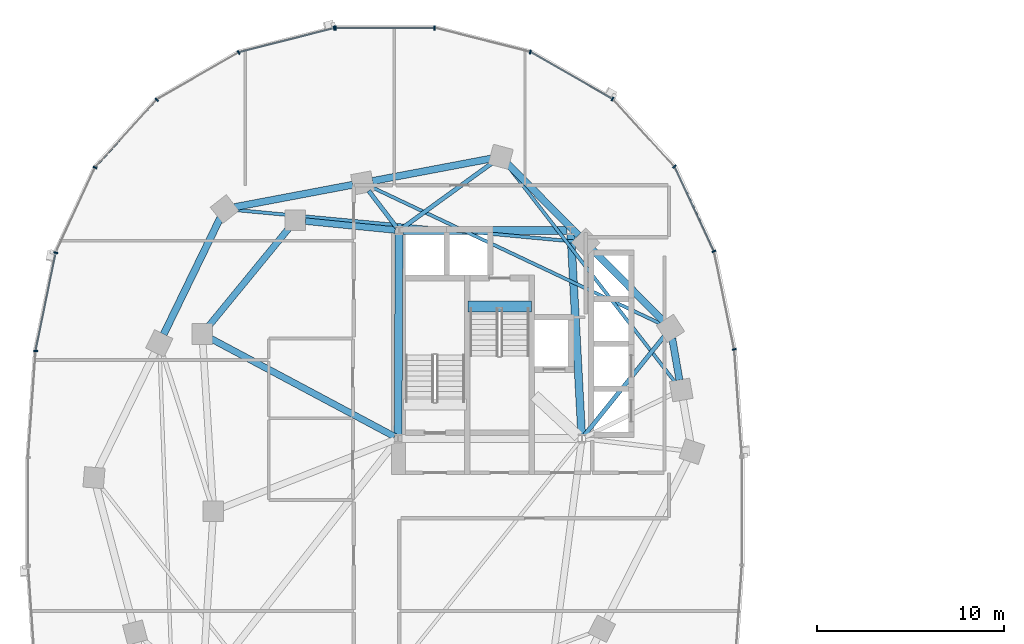
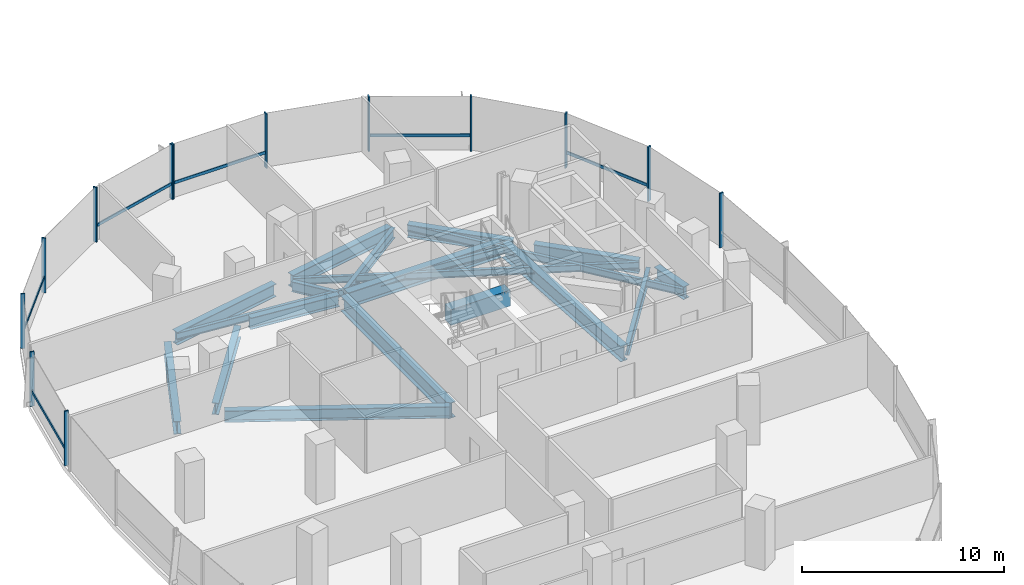
# One storey, part 4 of 21: 19 beams, 19 members, 2 elements without a shape of their own.
"""IFC4 building model written with IfcOpenShell, lengths in metres."""

from ifc_helpers import new_model, si_unit, direction, frame, origin, origin_2d, place, context, subcontext, project, spatial, rectangle, i_section, extrude, material, material_profile, profile_set, type_object, element, aggregate, save


model = new_model("IFC4")

# Units and contexts
model_context = context("Model", 3, precision=1e-05, world=origin(), true_north=direction((0.0, 1.0)))
body_context = subcontext(model_context, "Body", "Model", "MODEL_VIEW")
ifc_project = project(units=[si_unit("LENGTHUNIT", "METRE"), si_unit("AREAUNIT", "SQUARE_METRE"), si_unit("VOLUMEUNIT", "CUBIC_METRE"), si_unit("PLANEANGLEUNIT", "RADIAN"), si_unit("MASSUNIT", "GRAM", prefix="KILO"), si_unit("THERMODYNAMICTEMPERATUREUNIT", "KELVIN"), si_unit("POWERUNIT", "WATT")], contexts=[model_context])

# Site, building, storey
site_placement = place(None, origin())
site = spatial("IfcSite", under=ifc_project, at=site_placement, CompositionType="ELEMENT")
building_placement = place(site_placement, origin())
building = spatial("IfcBuilding", under=site, at=building_placement, Name="Cundina Bronze Exchange", CompositionType="ELEMENT")
storey_placement = place(building_placement, frame((0.0, 0.0, 117.800048828125)))
storey = spatial("IfcBuildingStorey", under=building, at=storey_placement, Name="L30", CompositionType="ELEMENT", Elevation=117.800048828125)

# Beams
ifc_material_1 = material(Name="Concrete C60/75", Category="concrete")
ifc_material_profile_1 = material_profile(ifc_material_1, rectangle(XDim=0.60009765625, YDim=0.949951171875, at=origin_2d()), Name="RC600X950", Category="concrete")
ifc_profile_set_1 = profile_set([ifc_material_profile_1], Name="Concrete C60/75")
beam_type_1 = type_object("IfcBeamType", Name="BM-COUP-RC950", PredefinedType="LINTEL", material=ifc_profile_set_1)
beam_1_placement = place(storey_placement, frame((-27.56005859375, 10.97998046875, -0.47509765625), z_axis=(1.0, 0.0, 0.0), x_axis=(0.0, 1.0, 0.0)))
element("IfcBeam", 1, at=beam_1_placement, inside=storey, type_object=beam_type_1, Name="L30 Stair W2 Landing Header Beam", PredefinedType="LINTEL", context=body_context, shape_type="SweptSolid", body=[
    extrude(rectangle(XDim=0.60009765625, YDim=0.949951171875, at=origin_2d()), origin(), (0.0, 0.0, 1.0), 3.400146484375),
])
ifc_material_2 = material(Name="Steel ASTM A992 Grade 50", Category="steel")
ifc_material_profile_2 = material_profile(ifc_material_2, i_section(OverallWidth=0.22998046875, OverallDepth=0.616943359375, WebThickness=0.01318359375, FlangeThickness=0.022216796875, FilletRadius=0.013916015625, at=origin_2d()), Name="W24X94", Category="steel")
ifc_profile_set_2 = profile_set([ifc_material_profile_2], Name="Steel ASTM A992 Grade 50")
beam_type_2 = type_object("IfcBeamType", Name="BM-FLR-W24B", PredefinedType="BEAM", material=ifc_profile_set_2)
beam_2_placement = place(storey_placement, frame((-21.322021484375, 4.058837890625, -0.608642578125), z_axis=(0.627106187843, 0.778933777139, 0.0), x_axis=(-0.778933777139, 0.627106187843, 0.0)))
element("IfcBeam", 2, at=beam_2_placement, inside=storey, type_object=beam_type_2, Name="L30 Leg W Radial Floor Beam 02", PredefinedType="BEAM", context=body_context, shape_type="SweptSolid", body=[
    extrude(i_section(OverallWidth=0.22998046875, OverallDepth=0.616943359375, WebThickness=0.01318359375, FlangeThickness=0.022216796875, FilletRadius=0.013916015625, at=origin_2d()), origin(), (0.0, 0.0, 1.0), 6.83251953125),
])
beam_3_placement = place(storey_placement, frame((-31.084716796875, 15.169677734375, -0.608642578125), z_axis=(0.809686957662, 0.586862020063, 0.0), x_axis=(-0.586862020063, 0.809686957662, 0.0)))
element("IfcBeam", 3, at=beam_3_placement, inside=storey, type_object=beam_type_2, Name="L30 Leg W Radial Floor Beam 04", PredefinedType="BEAM", context=body_context, shape_type="SweptSolid", body=[
    extrude(i_section(OverallWidth=0.22998046875, OverallDepth=0.616943359375, WebThickness=0.01318359375, FlangeThickness=0.022216796875, FilletRadius=0.013916015625, at=origin_2d()), origin(), (0.0, 0.0, 1.0), 5.98876953125),
])
beam_4_placement = place(storey_placement, frame((-31.373779296875, 15.2119140625, -0.608642578125), z_axis=(-0.607490490457, 0.79432695032, 0.0), x_axis=(-0.79432695032, -0.607490490457, 0.0)))
element("IfcBeam", 4, at=beam_4_placement, inside=storey, type_object=beam_type_2, Name="L30 Leg W Radial Floor Beam 05", PredefinedType="BEAM", context=body_context, shape_type="SweptSolid", body=[
    extrude(i_section(OverallWidth=0.22998046875, OverallDepth=0.616943359375, WebThickness=0.01318359375, FlangeThickness=0.022216796875, FilletRadius=0.013916015625, at=origin_2d()), origin(), (0.0, 0.0, 1.0), 2.46826171875),
])
ifc_material_profile_3 = material_profile(ifc_material_2, i_section(OverallWidth=0.178955078125, OverallDepth=0.409912109375, WebThickness=0.0087890625, FlangeThickness=0.014404296875, FilletRadius=0.010986328125, at=origin_2d()), Name="W16X45", Category="steel")
ifc_profile_set_3 = profile_set([ifc_material_profile_3], Name="Steel ASTM A992 Grade 50")
beam_type_3 = type_object("IfcBeamType", Name="BM-JST-W16", PredefinedType="JOIST", material=ifc_profile_set_3)
beam_5_placement = place(storey_placement, frame((-16.454345703125, 6.92529296875, -0.505126953125), z_axis=(-0.612065218806, 0.790807288742, 0.0), x_axis=(-0.790807288742, -0.612065218806, 0.0)))
element("IfcBeam", 5, at=beam_5_placement, inside=storey, type_object=beam_type_3, Name="L30 Leg W Lobe Floor Joist 01-04", PredefinedType="JOIST", context=body_context, shape_type="SweptSolid", body=[
    extrude(i_section(OverallWidth=0.178955078125, OverallDepth=0.409912109375, WebThickness=0.0087890625, FlangeThickness=0.014404296875, FilletRadius=0.010986328125, at=origin_2d()), origin(), (0.0, 0.0, 1.0), 14.73095703125),
])
beam_6_placement = place(storey_placement, frame((-17.186279296875, 10.02978515625, -0.505126953125), z_axis=(-0.904069270633, 0.427385954259, 0.0), x_axis=(-0.427385954259, -0.904069270633, 0.0)))
element("IfcBeam", 6, at=beam_6_placement, inside=storey, type_object=beam_type_3, Name="L30 Leg W Lobe Floor Joist 02-05", PredefinedType="JOIST", context=body_context, shape_type="SweptSolid", body=[
    extrude(i_section(OverallWidth=0.178955078125, OverallDepth=0.409912109375, WebThickness=0.0087890625, FlangeThickness=0.014404296875, FilletRadius=0.010986328125, at=origin_2d()), origin(), (0.0, 0.0, 1.0), 17.175048828125),
])
beam_7_placement = place(storey_placement, frame((-21.78564453125, 14.44970703125, -0.505126953125), z_axis=(-0.995700674022, 0.092629194921, 0.0), x_axis=(-0.092629194921, -0.995700674022, 0.0)))
element("IfcBeam", 7, at=beam_7_placement, inside=storey, type_object=beam_type_3, Name="L30 Leg W Lobe Floor Joist 03-06", PredefinedType="JOIST", context=body_context, shape_type="SweptSolid", body=[
    extrude(i_section(OverallWidth=0.178955078125, OverallDepth=0.409912109375, WebThickness=0.0087890625, FlangeThickness=0.014404296875, FilletRadius=0.010986328125, at=origin_2d()), origin(), (0.0, 0.0, 1.0), 18.357421875),
])
ifc_material_profile_4 = material_profile(ifc_material_2, i_section(OverallWidth=0.35498046875, OverallDepth=0.695068359375, WebThickness=0.015380859375, FlangeThickness=0.02490234375, FilletRadius=0.01806640625, at=origin_2d()), Name="W27X146", Category="steel")
ifc_profile_set_4 = profile_set([ifc_material_profile_4], Name="Steel ASTM A992 Grade 50")
beam_type_4 = type_object("IfcBeamType", Name="BM-RING-W27", PredefinedType="USERDEFINED", material=ifc_profile_set_4)
beam_8_placement = place(storey_placement, frame((-31.452880859375, 15.070068359375, -0.6474609375), z_axis=(-0.995126271817, 0.098608839051, 0.0), x_axis=(-0.098608839051, -0.995126271817, 0.0)))
element("IfcBeam", 8, at=beam_8_placement, inside=storey, type_object=beam_type_4, Name="L30 W Inner Structural Ring Girder 01", ObjectType="GIRDER", PredefinedType="USERDEFINED", context=body_context, shape_type="SweptSolid", body=[
    extrude(i_section(OverallWidth=0.35498046875, OverallDepth=0.695068359375, WebThickness=0.015380859375, FlangeThickness=0.02490234375, FilletRadius=0.01806640625, at=origin_2d()), origin(), (0.0, 0.0, 1.0), 4.83544921875),
])
beam_9_placement = place(storey_placement, frame((-37.14111328125, 15.183837890625, -0.6474609375), z_axis=(-0.633926549035, -0.773393257295, 0.0), x_axis=(0.773393257295, -0.633926549035, 0.0)))
element("IfcBeam", 9, at=beam_9_placement, inside=storey, type_object=beam_type_4, Name="L30 W Inner Structural Ring Girder 02", ObjectType="GIRDER", PredefinedType="USERDEFINED", context=body_context, shape_type="SweptSolid", body=[
    extrude(i_section(OverallWidth=0.35498046875, OverallDepth=0.695068359375, WebThickness=0.015380859375, FlangeThickness=0.02490234375, FilletRadius=0.01806640625, at=origin_2d()), origin(), (0.0, 0.0, 1.0), 6.811279296875),
])
beam_10_placement = place(storey_placement, frame((-31.47998046875, 3.99609375, -0.6474609375), z_axis=(-0.882354758239, 0.470584828286, 0.0), x_axis=(-0.470584828286, -0.882354758239, 0.0)))
element("IfcBeam", 10, at=beam_10_placement, inside=storey, type_object=beam_type_4, Name="L30 W Core-to-Waist Tie Beam 2", ObjectType="GIRDER", PredefinedType="USERDEFINED", context=body_context, shape_type="SweptSolid", body=[
    extrude(i_section(OverallWidth=0.35498046875, OverallDepth=0.695068359375, WebThickness=0.015380859375, FlangeThickness=0.02490234375, FilletRadius=0.01806640625, at=origin_2d()), origin(), (0.0, 0.0, 1.0), 11.157958984375),
])
ifc_material_profile_5 = material_profile(ifc_material_2, i_section(OverallWidth=0.381103515625, OverallDepth=0.77294921875, WebThickness=0.0166015625, FlangeThickness=0.027099609375, FilletRadius=0.01904296875, at=origin_2d()), Name="W30X173", Category="steel")
ifc_profile_set_5 = profile_set([ifc_material_profile_5], Name="Steel ASTM A992 Grade 50")
beam_type_5 = type_object("IfcBeamType", Name="BM-RING-W30", PredefinedType="USERDEFINED", material=ifc_profile_set_5)
beam_11_placement = place(storey_placement, frame((-16.21728515625, 7.030029296875, -0.6865234375), z_axis=(-0.171690078326, 0.985151012284, 0.0), x_axis=(-0.985151012284, -0.171690078326, 0.0)))
element("IfcBeam", 11, at=beam_11_placement, inside=storey, type_object=beam_type_5, Name="L30 W Perimeter Ring Girder 01", ObjectType="GIRDER", PredefinedType="USERDEFINED", context=body_context, shape_type="SweptSolid", body=[
    extrude(i_section(OverallWidth=0.381103515625, OverallDepth=0.77294921875, WebThickness=0.0166015625, FlangeThickness=0.027099609375, FilletRadius=0.01904296875, at=origin_2d()), origin(), (0.0, 0.0, 1.0), 2.273681640625),
])
for number, where, z_axis, x_axis, name in (
    (12, (-17.078369140625, 10.1826171875, -0.6865234375), (-0.703226342126, 0.7109660412, 0.0), (-0.7109660412, -0.703226342126, 0.0), "L30 W Perimeter Ring Girder 02"),
    (13, (-21.62841796875, 14.782470703125, -0.6865234375), (-0.703226342126, 0.7109660412, 0.0), (-0.7109660412, -0.703226342126, 0.0), "L30 W Perimeter Ring Girder 03"),
):
    element("IfcBeam", number, at=place(storey_placement, frame(where, z_axis=z_axis, x_axis=x_axis)), inside=storey, type_object=beam_type_5, Name=name, ObjectType="GIRDER", PredefinedType="USERDEFINED", context=body_context, shape_type="SweptSolid", body=[
        extrude(i_section(OverallWidth=0.381103515625, OverallDepth=0.77294921875, WebThickness=0.0166015625, FlangeThickness=0.027099609375, FilletRadius=0.01904296875, at=origin_2d()), origin(), (0.0, 0.0, 1.0), 5.39404296875),
    ])
for number, where, z_axis, x_axis, name in (
    (14, (-26.32861328125, 18.89990234375, -0.6865234375), (-0.98257117919, -0.185886733861, 0.0), (0.185886733861, -0.98257117919, 0.0), "L30 W Perimeter Ring Girder 04"),
    (15, (-33.728515625, 17.5, -0.6865234375), (-0.98257117919, -0.185886733861, 0.0), (0.185886733861, -0.98257117919, 0.0), "L30 W Perimeter Ring Girder 05"),
):
    element("IfcBeam", number, at=place(storey_placement, frame(where, z_axis=z_axis, x_axis=x_axis)), inside=storey, type_object=beam_type_5, Name=name, ObjectType="GIRDER", PredefinedType="USERDEFINED", context=body_context, shape_type="SweptSolid", body=[
        extrude(i_section(OverallWidth=0.381103515625, OverallDepth=0.77294921875, WebThickness=0.0166015625, FlangeThickness=0.027099609375, FilletRadius=0.01904296875, at=origin_2d()), origin(), (0.0, 0.0, 1.0), 6.455322265625),
    ])
beam_12_placement = place(storey_placement, frame((-40.835205078125, 15.716064453125, -0.6865234375), z_axis=(-0.437193894283, -0.899367276924, 0.0), x_axis=(0.899367276924, -0.437193894283, 0.0)))
element("IfcBeam", 16, at=beam_12_placement, inside=storey, type_object=beam_type_5, Name="L30 W Perimeter Ring Girder 06", ObjectType="GIRDER", PredefinedType="USERDEFINED", context=body_context, shape_type="SweptSolid", body=[
    extrude(i_section(OverallWidth=0.381103515625, OverallDepth=0.77294921875, WebThickness=0.0166015625, FlangeThickness=0.027099609375, FilletRadius=0.01904296875, at=origin_2d()), origin(), (0.0, 0.0, 1.0), 6.929443359375),
])
ifc_material_profile_6 = material_profile(ifc_material_2, i_section(OverallWidth=0.41796875, OverallDepth=0.927001953125, WebThickness=0.019287109375, FlangeThickness=0.031982421875, FilletRadius=0.02392578125, at=origin_2d()), Name="W36X231", Category="steel")
ifc_profile_set_6 = profile_set([ifc_material_profile_6], Name="Steel ASTM A992 Grade 50")
beam_type_6 = type_object("IfcBeamType", Name="BM-WRN-W36B", PredefinedType="USERDEFINED", material=ifc_profile_set_6)
beam_13_placement = place(storey_placement, frame((-21.4609375, 4.103759765625, -0.763427734375), z_axis=(-0.053739193498, 0.998555005537, 0.0), x_axis=(-0.998555005537, -0.053739193498, 0.0)))
element("IfcBeam", 17, at=beam_13_placement, inside=storey, type_object=beam_type_6, Name="L30 W Core Perimeter Tie Girder 2", ObjectType="GIRDER", PredefinedType="USERDEFINED", context=body_context, shape_type="SweptSolid", body=[
    extrude(i_section(OverallWidth=0.41796875, OverallDepth=0.927001953125, WebThickness=0.019287109375, FlangeThickness=0.031982421875, FilletRadius=0.02392578125, at=origin_2d()), origin(), (0.0, 0.0, 1.0), 10.758056640625),
])
beam_14_placement = place(storey_placement, frame((-22.25390625, 15.050048828125, -0.763427734375), z_axis=(-1.0, 0.0, 0.0), x_axis=(0.0, -1.0, 0.0)))
element("IfcBeam", 18, at=beam_14_placement, inside=storey, type_object=beam_type_6, Name="L30 W Core Perimeter Tie Girder 3", ObjectType="GIRDER", PredefinedType="USERDEFINED", context=body_context, shape_type="SweptSolid", body=[
    extrude(i_section(OverallWidth=0.41796875, OverallDepth=0.927001953125, WebThickness=0.019287109375, FlangeThickness=0.031982421875, FilletRadius=0.02392578125, at=origin_2d()), origin(), (0.0, 0.0, 1.0), 8.7919921875),
])
beam_15_placement = place(storey_placement, frame((-31.2509765625, 14.845947265625, -0.763427734375), z_axis=(-0.004477329608, -0.99998997671, 0.0), x_axis=(0.99998997671, -0.004477329608, 0.0)))
element("IfcBeam", 19, at=beam_15_placement, inside=storey, type_object=beam_type_6, Name="L30 W Core Perimeter Tie Girder 4", ObjectType="GIRDER", PredefinedType="USERDEFINED", context=body_context, shape_type="SweptSolid", body=[
    extrude(i_section(OverallWidth=0.41796875, OverallDepth=0.927001953125, WebThickness=0.019287109375, FlangeThickness=0.031982421875, FilletRadius=0.02392578125, at=origin_2d()), origin(), (0.0, 0.0, 1.0), 10.741943359375),
])

# Curtain wall, members
ifc_material_3 = material(Name="Anodised Bronze Aluminium 6063-T6", Category="aluminium")
curtain_wall_type = type_object("IfcCurtainWallType", Name="CWS-TRD-MID", PredefinedType="NOTDEFINED", material=ifc_material_3)
curtain_wall_1_placement = place(storey_placement, origin())
curtain_wall_1 = element("IfcCurtainWall", 20, at=curtain_wall_1_placement, inside=storey, type_object=curtain_wall_type, Name="L30 CW-03 Curtain Wall Run CWR-L30-W1", PredefinedType="NOTDEFINED")
ifc_material_profile_7 = material_profile(ifc_material_3, rectangle(XDim=0.074951171875, YDim=0.219970703125, at=origin_2d()), Name="AL75X220", Category="aluminium")
ifc_profile_set_7 = profile_set([ifc_material_profile_7], Name="Anodised Bronze Aluminium 6063-T6")
member_type_1 = type_object("IfcMemberType", Name="CWM-MUL-220", PredefinedType="MULLION", material=ifc_profile_set_7)
member_1_placement = place(storey_placement, frame((-13.282958984375, 8.67822265625, 0.0), z_axis=(0.0, 0.0, 1.0), x_axis=(-0.201419845156, 0.979505000486, 0.0)))
member_1 = element("IfcMember", 21, at=member_1_placement, type_object=member_type_1, Name="CW-03 Mullion 2", PredefinedType="MULLION", context=body_context, shape_type="SweptSolid", body=[
    extrude(rectangle(XDim=0.074951171875, YDim=0.219970703125, at=origin_2d()), origin(), (0.0, 0.0, 1.0), 3.300048828125),
])
member_2_placement = place(storey_placement, frame((-14.3720703125, 13.931884765625, 0.0), z_axis=(0.0, 0.0, 1.0), x_axis=(-0.42087749791, 0.907117485088, 0.0)))
member_2 = element("IfcMember", 22, at=member_2_placement, type_object=member_type_1, Name="CW-03 Mullion 3", PredefinedType="MULLION", context=body_context, shape_type="SweptSolid", body=[
    extrude(rectangle(XDim=0.074951171875, YDim=0.219970703125, at=origin_2d()), origin(), (0.0, 0.0, 1.0), 3.300048828125),
])
member_3_placement = place(storey_placement, frame((-16.491455078125, 18.47705078125, 0.0), z_axis=(0.0, 0.0, 1.0), x_axis=(-0.674302387584, 0.738455340626, 0.0)))
member_3 = element("IfcMember", 23, at=member_3_placement, type_object=member_type_1, Name="CW-03 Mullion 4", PredefinedType="MULLION", context=body_context, shape_type="SweptSolid", body=[
    extrude(rectangle(XDim=0.074951171875, YDim=0.219970703125, at=origin_2d()), origin(), (0.0, 0.0, 1.0), 3.300048828125),
])
member_4_placement = place(storey_placement, frame((-19.810302734375, 22.097412109375, 0.0), z_axis=(0.0, 0.0, 1.0), x_axis=(-0.867070701164, 0.498185105339, 0.0)))
member_4 = element("IfcMember", 24, at=member_4_placement, type_object=member_type_1, Name="CW-03 Mullion 5", PredefinedType="MULLION", context=body_context, shape_type="SweptSolid", body=[
    extrude(rectangle(XDim=0.074951171875, YDim=0.219970703125, at=origin_2d()), origin(), (0.0, 0.0, 1.0), 3.300048828125),
])
member_5_placement = place(storey_placement, frame((-24.21484375, 24.61669921875, 0.0), z_axis=(0.0, 0.0, 1.0), x_axis=(-0.969488149345, 0.245138182011, 0.0)))
member_5 = element("IfcMember", 25, at=member_5_placement, type_object=member_type_1, Name="CW-03 Mullion 6", PredefinedType="MULLION", context=body_context, shape_type="SweptSolid", body=[
    extrude(rectangle(XDim=0.074951171875, YDim=0.219970703125, at=origin_2d()), origin(), (0.0, 0.0, 1.0), 3.300048828125),
])
member_6_placement = place(storey_placement, frame((-29.345458984375, 25.905029296875, 0.0), z_axis=(0.0, 0.0, 1.0), x_axis=(-1.0, 0.0, 0.0)))
member_6 = element("IfcMember", 26, at=member_6_placement, type_object=member_type_1, Name="CW-03 Mullion 7", PredefinedType="MULLION", context=body_context, shape_type="SweptSolid", body=[
    extrude(rectangle(XDim=0.074951171875, YDim=0.219970703125, at=origin_2d()), origin(), (0.0, 0.0, 1.0), 3.300048828125),
])
member_7_placement = place(storey_placement, frame((-34.654541015625, 25.905029296875, 0.0), z_axis=(0.0, 0.0, 1.0), x_axis=(-1.0, 0.0, 0.0)))
member_7 = element("IfcMember", 27, at=member_7_placement, type_object=member_type_1, Name="CW-03 End Mullion", PredefinedType="MULLION", context=body_context, shape_type="SweptSolid", body=[
    extrude(rectangle(XDim=0.074951171875, YDim=0.219970703125, at=origin_2d()), origin(), (0.0, 0.0, 1.0), 3.300048828125),
])

curtain_wall_2_placement = place(storey_placement, origin())
curtain_wall_2 = element("IfcCurtainWall", 28, at=curtain_wall_2_placement, inside=storey, type_object=curtain_wall_type, Name="L30 CW-03 Curtain Wall Run CWR-L30-W2", PredefinedType="NOTDEFINED")
member_8_placement = place(storey_placement, frame((-34.72607421875, 25.89599609375, 0.0), z_axis=(0.0, 0.0, 1.0), x_axis=(-0.969488149345, -0.245138182011, 0.0)))
member_8 = element("IfcMember", 29, at=member_8_placement, type_object=member_type_1, Name="CW-03 Mullion 1", PredefinedType="MULLION", context=body_context, shape_type="SweptSolid", body=[
    extrude(rectangle(XDim=0.074951171875, YDim=0.219970703125, at=origin_2d()), origin(), (0.0, 0.0, 1.0), 3.300048828125),
])
member_9_placement = place(storey_placement, frame((-39.848876953125, 24.591064453125, 0.0), z_axis=(0.0, 0.0, 1.0), x_axis=(-0.867070701164, -0.498185105339, 0.0)))
member_9 = element("IfcMember", 30, at=member_9_placement, type_object=member_type_1, Name="CW-03 Mullion 2", PredefinedType="MULLION", context=body_context, shape_type="SweptSolid", body=[
    extrude(rectangle(XDim=0.074951171875, YDim=0.219970703125, at=origin_2d()), origin(), (0.0, 0.0, 1.0), 3.300048828125),
])
member_10_placement = place(storey_placement, frame((-44.239501953125, 22.0576171875, 0.0), z_axis=(0.0, 0.0, 1.0), x_axis=(-0.674302387584, -0.738455340626, 0.0)))
member_10 = element("IfcMember", 31, at=member_10_placement, type_object=member_type_1, Name="CW-03 Mullion 3", PredefinedType="MULLION", context=body_context, shape_type="SweptSolid", body=[
    extrude(rectangle(XDim=0.074951171875, YDim=0.219970703125, at=origin_2d()), origin(), (0.0, 0.0, 1.0), 3.300048828125),
])
member_11_placement = place(storey_placement, frame((-47.544189453125, 18.423583984375, 0.0), z_axis=(0.0, 0.0, 1.0), x_axis=(-0.42087749791, -0.907117485088, 0.0)))
member_11 = element("IfcMember", 32, at=member_11_placement, type_object=member_type_1, Name="CW-03 Mullion 4", PredefinedType="MULLION", context=body_context, shape_type="SweptSolid", body=[
    extrude(rectangle(XDim=0.074951171875, YDim=0.219970703125, at=origin_2d()), origin(), (0.0, 0.0, 1.0), 3.300048828125),
])
member_12_placement = place(storey_placement, frame((-49.651123046875, 13.861328125, 0.0), z_axis=(0.0, 0.0, 1.0), x_axis=(-0.201419845156, -0.979505000486, 0.0)))
member_12 = element("IfcMember", 33, at=member_12_placement, type_object=member_type_1, Name="CW-03 Mullion 5", PredefinedType="MULLION", context=body_context, shape_type="SweptSolid", body=[
    extrude(rectangle(XDim=0.074951171875, YDim=0.219970703125, at=origin_2d()), origin(), (0.0, 0.0, 1.0), 3.300048828125),
])
member_13_placement = place(storey_placement, frame((-50.72900390625, 8.591552734375, 0.0), z_axis=(0.0, 0.0, 1.0), x_axis=(-0.070278787473, -0.997527389113, 0.0)))
member_13 = element("IfcMember", 34, at=member_13_placement, type_object=member_type_1, Name="CW-03 Mullion 6", PredefinedType="MULLION", context=body_context, shape_type="SweptSolid", body=[
    extrude(rectangle(XDim=0.074951171875, YDim=0.219970703125, at=origin_2d()), origin(), (0.0, 0.0, 1.0), 3.300048828125),
])

# Member
ifc_material_profile_8 = material_profile(ifc_material_3, rectangle(XDim=0.070068359375, YDim=0.179931640625, at=origin_2d()), Name="AL70X180", Category="aluminium")
ifc_profile_set_8 = profile_set([ifc_material_profile_8], Name="Anodised Bronze Aluminium 6063-T6")
member_type_2 = type_object("IfcMemberType", Name="CWM-TRN-180", PredefinedType="USERDEFINED", material=ifc_profile_set_8)
member_14_placement = place(storey_placement, frame((-14.389404296875, 13.96923828125, 0.919921875), z_axis=(-0.420811422796, 0.907148139195, 0.0), x_axis=(-0.907148139195, -0.420811422796, 0.0)))
member_14 = element("IfcMember", 35, at=member_14_placement, type_object=member_type_2, Name="CW-03 Spandrel Transom 3", ObjectType="TRANSOM", PredefinedType="USERDEFINED", context=body_context, shape_type="SweptSolid", body=[
    extrude(rectangle(XDim=0.070068359375, YDim=0.179931640625, at=origin_2d()), origin(), (0.0, 0.0, 1.0), 4.95166015625),
])

member_15_placement = place(storey_placement, frame((-19.845947265625, 22.117919921875, 0.919921875), z_axis=(-0.867097475651, 0.498138502546, 0.0), x_axis=(-0.498138502546, -0.867097475651, 0.0)))
member_15 = element("IfcMember", 36, at=member_15_placement, type_object=member_type_2, Name="CW-03 Spandrel Transom 5", ObjectType="TRANSOM", PredefinedType="USERDEFINED", context=body_context, shape_type="SweptSolid", body=[
    extrude(rectangle(XDim=0.070068359375, YDim=0.179931640625, at=origin_2d()), origin(), (0.0, 0.0, 1.0), 5.00634765625),
])

member_16_placement = place(storey_placement, frame((-29.38671875, 25.905029296875, 0.919921875), z_axis=(-1.0, 0.0, 0.0), x_axis=(0.0, -1.0, 0.0)))
member_16 = element("IfcMember", 37, at=member_16_placement, type_object=member_type_2, Name="CW-03 Spandrel Transom 7", ObjectType="TRANSOM", PredefinedType="USERDEFINED", context=body_context, shape_type="SweptSolid", body=[
    extrude(rectangle(XDim=0.070068359375, YDim=0.179931640625, at=origin_2d()), origin(), (0.0, 0.0, 1.0), 5.2265625),
])

aggregate(curtain_wall_1, [member_1, member_2, member_14, member_3, member_4, member_15, member_5, member_6, member_7, member_16])

member_17_placement = place(storey_placement, frame((-34.76611328125, 25.885986328125, 0.919921875), z_axis=(-0.969483968866, -0.245154714644, 0.0), x_axis=(0.245154714644, -0.969483968866, 0.0)))
member_17 = element("IfcMember", 38, at=member_17_placement, type_object=member_type_2, Name="CW-03 Spandrel Transom 1", ObjectType="TRANSOM", PredefinedType="USERDEFINED", context=body_context, shape_type="SweptSolid", body=[
    extrude(rectangle(XDim=0.070068359375, YDim=0.179931640625, at=origin_2d()), origin(), (0.0, 0.0, 1.0), 5.21826171875),
])

member_18_placement = place(storey_placement, frame((-44.26708984375, 22.027099609375, 0.919921875), z_axis=(-0.674302794847, -0.738454968743, 0.0), x_axis=(0.738454968743, -0.674302794847, 0.0)))
member_18 = element("IfcMember", 39, at=member_18_placement, type_object=member_type_2, Name="CW-03 Spandrel Transom 3", ObjectType="TRANSOM", PredefinedType="USERDEFINED", context=body_context, shape_type="SweptSolid", body=[
    extrude(rectangle(XDim=0.070068359375, YDim=0.179931640625, at=origin_2d()), origin(), (0.0, 0.0, 1.0), 4.848388671875),
])

member_19_placement = place(storey_placement, frame((-49.659423828125, 13.821044921875, 0.919921875), z_axis=(-0.201427712708, -0.979503382615, 0.0), x_axis=(0.979503382615, -0.201427712708, 0.0)))
member_19 = element("IfcMember", 40, at=member_19_placement, type_object=member_type_2, Name="CW-03 Spandrel Transom 5", ObjectType="TRANSOM", PredefinedType="USERDEFINED", context=body_context, shape_type="SweptSolid", body=[
    extrude(rectangle(XDim=0.070068359375, YDim=0.179931640625, at=origin_2d()), origin(), (0.0, 0.0, 1.0), 5.291748046875),
])

aggregate(curtain_wall_2, [member_8, member_17, member_9, member_10, member_18, member_11, member_12, member_19, member_13])

save(model, "model.ifc")
